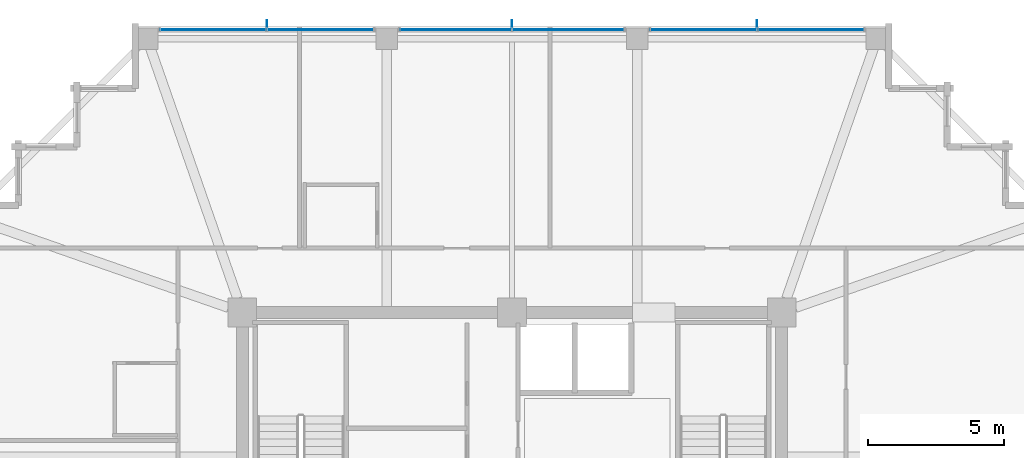
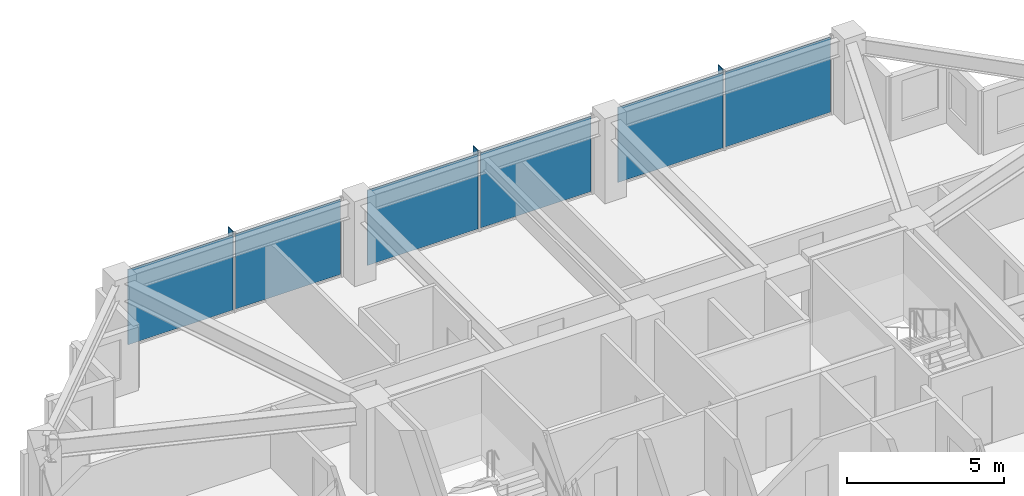
# One storey, part 27 of 34: 9 plates, 3 elements without a shape of their own.
"""IFC4 building model written with IfcOpenShell, lengths in metres."""

from ifc_helpers import new_model, si_unit, direction, frame, origin, origin_2d, place, context, subcontext, project, spatial, rectangle, extrude, material, layer, layer_set, type_object, element, aggregate, save


model = new_model("IFC4")

# Units and contexts
model_context = context("Model", 3, precision=1e-05, world=origin(), true_north=direction((0.0, 1.0)))
body_context = subcontext(model_context, "Body", "Model", "MODEL_VIEW")
ifc_project = project(units=[si_unit("LENGTHUNIT", "METRE"), si_unit("AREAUNIT", "SQUARE_METRE"), si_unit("VOLUMEUNIT", "CUBIC_METRE"), si_unit("PLANEANGLEUNIT", "RADIAN"), si_unit("MASSUNIT", "GRAM", prefix="KILO")], contexts=[model_context])

# Site, building, storey
site_placement = place(None, origin())
site = spatial("IfcSite", under=ifc_project, at=site_placement, CompositionType="ELEMENT")
building_placement = place(site_placement, origin())
building = spatial("IfcBuilding", under=site, at=building_placement, Name="Kolvaren Belvedere", CompositionType="ELEMENT")
storey_placement = place(building_placement, frame((0.0, 0.0, 222.89990234375)))
storey = spatial("IfcBuildingStorey", under=building, at=storey_placement, Name="L65", CompositionType="ELEMENT", Elevation=222.89990234375)

# Curtain wall, plates
ifc_material_1 = material(Name="Anodised pale-metal aluminium AA 6063-T6", Category="aluminium")
curtain_wall_type = type_object("IfcCurtainWallType", Name="CW-Z5-HIGH", PredefinedType="NOTDEFINED", material=ifc_material_1)
curtain_wall_1_placement = place(storey_placement, origin())
curtain_wall_1 = element("IfcCurtainWall", 1, at=curtain_wall_1_placement, inside=storey, type_object=curtain_wall_type, Name="L65 Unitised Curtain Wall FCW-L65-N-B1", PredefinedType="NOTDEFINED")
ifc_material_2 = material(Name="Low-iron triple insulated glass", Category="glass")
ifc_layer_1 = layer(ifc_material_2, 0.028076171875)
ifc_layer_set_1 = layer_set([ifc_layer_1], Name="Low-iron triple insulated glass")
plate_type_1 = type_object("IfcPlateType", Name="CW-PNL-VIS28", PredefinedType="CURTAIN_PANEL", material=ifc_layer_set_1)
plate_1_placement = place(storey_placement, frame((-10.972412109375, 20.280029296875, 0.080078125), z_axis=(0.0, 0.0, 1.0), x_axis=(1.0, 0.0, 0.0)))
plate_1 = element("IfcPlate", 2, at=plate_1_placement, type_object=plate_type_1, Name="FCW-L65-N-B1 Vision Glazing Panel 1", PredefinedType="CURTAIN_PANEL", context=body_context, shape_type="SweptSolid", body=[
    extrude(rectangle(XDim=3.864990234375, YDim=0.028076171875, at=origin_2d()), origin(), (0.0, 0.0, 1.0), 2.919921875),
])
plate_2_placement = place(storey_placement, frame((-7.027587890625, 20.280029296875, 0.080078125), z_axis=(0.0, 0.0, 1.0), x_axis=(1.0, 0.0, 0.0)))
plate_2 = element("IfcPlate", 3, at=plate_2_placement, type_object=plate_type_1, Name="FCW-L65-N-B1 Vision Glazing Panel 2", PredefinedType="CURTAIN_PANEL", context=body_context, shape_type="SweptSolid", body=[
    extrude(rectangle(XDim=3.864990234375, YDim=0.028076171875, at=origin_2d()), origin(), (0.0, 0.0, 1.0), 2.919921875),
])
aggregate(curtain_wall_1, [plate_1, plate_2])

curtain_wall_2_placement = place(storey_placement, origin())
curtain_wall_2 = element("IfcCurtainWall", 4, at=curtain_wall_2_placement, inside=storey, type_object=curtain_wall_type, Name="L65 Unitised Curtain Wall FCW-L65-N-B2", PredefinedType="NOTDEFINED")
plate_3_placement = place(storey_placement, frame((-2.072509765625, 20.280029296875, 0.080078125), z_axis=(0.0, 0.0, 1.0), x_axis=(1.0, 0.0, 0.0)))
plate_3 = element("IfcPlate", 5, at=plate_3_placement, type_object=plate_type_1, Name="FCW-L65-N-B2 Vision Glazing Panel 1", PredefinedType="CURTAIN_PANEL", context=body_context, shape_type="SweptSolid", body=[
    extrude(rectangle(XDim=4.06494140625, YDim=0.028076171875, at=origin_2d()), origin(), (0.0, 0.0, 1.0), 2.919921875),
])
plate_4_placement = place(storey_placement, frame((2.072509765625, 20.280029296875, 0.080078125), z_axis=(0.0, 0.0, 1.0), x_axis=(1.0, 0.0, 0.0)))
plate_4 = element("IfcPlate", 6, at=plate_4_placement, type_object=plate_type_1, Name="FCW-L65-N-B2 Vision Glazing Panel 2", PredefinedType="CURTAIN_PANEL", context=body_context, shape_type="SweptSolid", body=[
    extrude(rectangle(XDim=4.06494140625, YDim=0.028076171875, at=origin_2d()), origin(), (0.0, 0.0, 1.0), 2.919921875),
])
aggregate(curtain_wall_2, [plate_3, plate_4])

curtain_wall_3_placement = place(storey_placement, origin())
curtain_wall_3 = element("IfcCurtainWall", 7, at=curtain_wall_3_placement, inside=storey, type_object=curtain_wall_type, Name="L65 Unitised Curtain Wall FCW-L65-N-B3", PredefinedType="NOTDEFINED")
plate_5_placement = place(storey_placement, frame((7.027587890625, 20.280029296875, 0.080078125), z_axis=(0.0, 0.0, 1.0), x_axis=(1.0, 0.0, 0.0)))
plate_5 = element("IfcPlate", 8, at=plate_5_placement, type_object=plate_type_1, Name="FCW-L65-N-B3 Vision Glazing Panel 1", PredefinedType="CURTAIN_PANEL", context=body_context, shape_type="SweptSolid", body=[
    extrude(rectangle(XDim=3.864990234375, YDim=0.028076171875, at=origin_2d()), origin(), (0.0, 0.0, 1.0), 2.919921875),
])
plate_6_placement = place(storey_placement, frame((10.972412109375, 20.280029296875, 0.080078125), z_axis=(0.0, 0.0, 1.0), x_axis=(1.0, 0.0, 0.0)))
plate_6 = element("IfcPlate", 9, at=plate_6_placement, type_object=plate_type_1, Name="FCW-L65-N-B3 Vision Glazing Panel 2", PredefinedType="CURTAIN_PANEL", context=body_context, shape_type="SweptSolid", body=[
    extrude(rectangle(XDim=3.864990234375, YDim=0.028076171875, at=origin_2d()), origin(), (0.0, 0.0, 1.0), 2.919921875),
])
aggregate(curtain_wall_3, [plate_5, plate_6])

# Plates
ifc_material_3 = material(Name="Anodised pale-metal aluminium AA 6063-T6", Category="aluminium")
ifc_layer_2 = layer(ifc_material_3, 0.030029296875)
ifc_layer_set_2 = layer_set([ifc_layer_2], Name="Anodised pale-metal aluminium AA 6063-T6")
plate_type_2 = type_object("IfcPlateType", Name="FIN-VERT-300", PredefinedType="USERDEFINED", material=ifc_layer_set_2)
for number, where, z_axis, x_axis, name in (
    (10, (-9.0, 20.489990234375, 0.0), (0.0, 0.0, 1.0), (0.0, 1.0, 0.0), "L65 Pale-Metal Vertical Shading Fin FCW-L65-N-B1-1"),
    (11, (0.0, 20.489990234375, 0.0), (0.0, 0.0, 1.0), (0.0, 1.0, 0.0), "L65 Pale-Metal Vertical Shading Fin FCW-L65-N-B2-1"),
    (12, (9.0, 20.489990234375, 0.0), (0.0, 0.0, 1.0), (0.0, 1.0, 0.0), "L65 Pale-Metal Vertical Shading Fin FCW-L65-N-B3-1"),
):
    element("IfcPlate", number, at=place(storey_placement, frame(where, z_axis=z_axis, x_axis=x_axis)), inside=storey, type_object=plate_type_2, Name=name, ObjectType="VERTICAL FIN", PredefinedType="USERDEFINED", context=body_context, shape_type="SweptSolid", body=[
        extrude(rectangle(XDim=0.300048828125, YDim=0.030029296875, at=origin_2d()), origin(), (0.0, 0.0, 1.0), 3.080078125),
    ])

save(model, "model.ifc")
